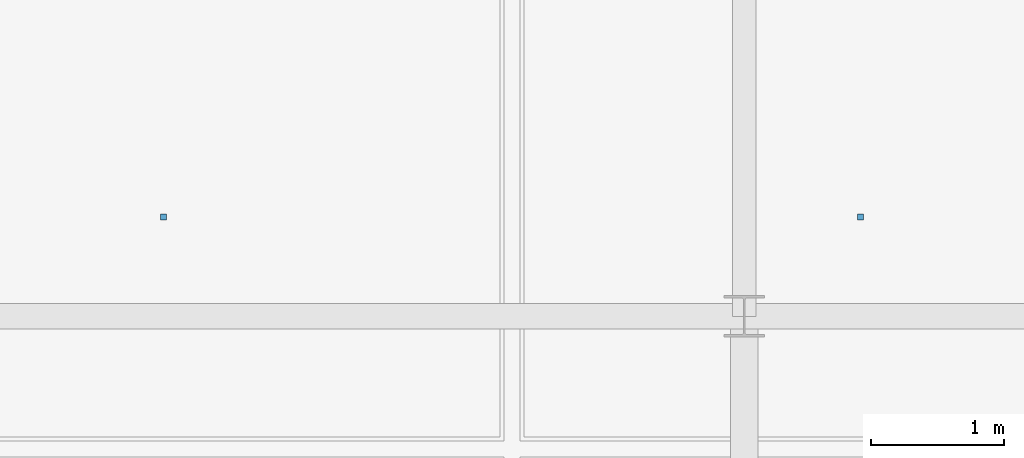
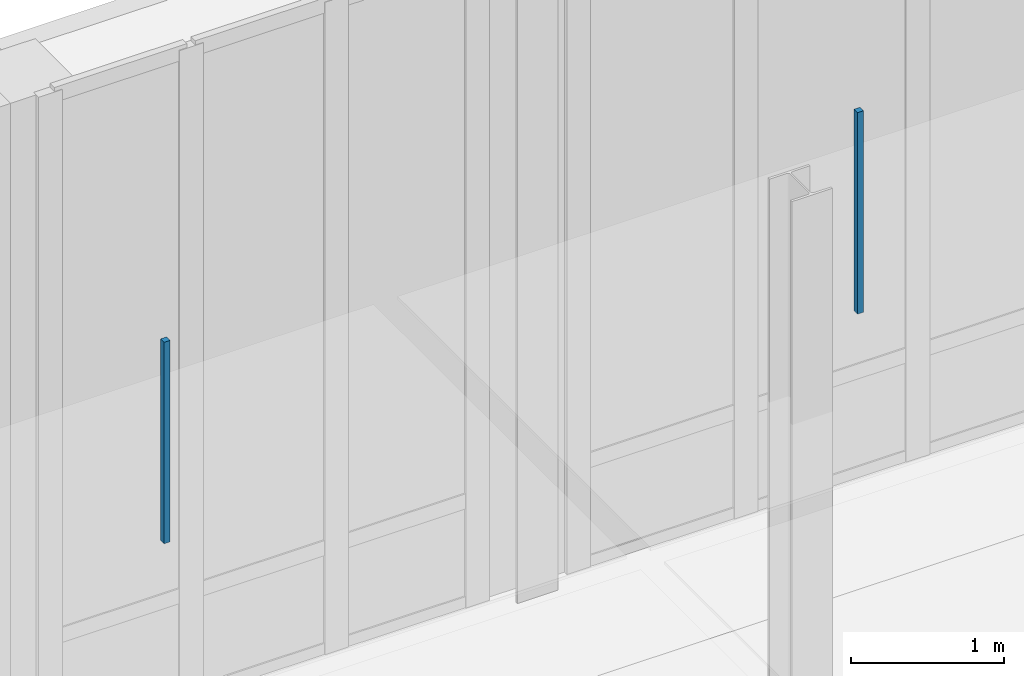
# One storey, part 126 of 180: 2 discrete accessories.
"""IFC4 building model written with IfcOpenShell, lengths in metres."""

from ifc_helpers import new_model, si_unit, direction, frame, origin, origin_2d, place, context, subcontext, project, spatial, rectangle, extrude, material, type_object, element, save


model = new_model("IFC4")

# Units and contexts
model_context = context("Model", 3, precision=1e-05, world=origin(), true_north=direction((0.0, 1.0)))
body_context = subcontext(model_context, "Body", "Model", "MODEL_VIEW")
ifc_project = project(units=[si_unit("LENGTHUNIT", "METRE"), si_unit("AREAUNIT", "SQUARE_METRE"), si_unit("VOLUMEUNIT", "CUBIC_METRE"), si_unit("PLANEANGLEUNIT", "RADIAN"), si_unit("MASSUNIT", "GRAM", prefix="KILO"), si_unit("THERMODYNAMICTEMPERATUREUNIT", "KELVIN"), si_unit("POWERUNIT", "WATT")], contexts=[model_context])

# Site, building, storey
site_placement = place(None, origin())
site = spatial("IfcSite", under=ifc_project, at=site_placement, CompositionType="ELEMENT")
building_placement = place(site_placement, origin())
building = spatial("IfcBuilding", under=site, at=building_placement, Name="Tallowbark Science Centre", CompositionType="ELEMENT")
storey_placement = place(building_placement, origin())
storey = spatial("IfcBuildingStorey", under=building, at=storey_placement, Name="L00", CompositionType="ELEMENT", Elevation=0.0)

# Discrete accessories
ifc_material = material(Name="Galvanised Steel Grade C350L0 (350 MPa)", Category="steel")
discrete_accessory_type = type_object("IfcDiscreteAccessoryType", Name="ACC-CLG-HNG", PredefinedType="BRACKET", material=ifc_material)
for number, where, z_axis, x_axis, name in (
    (1, (58.625, 108.75, 3.609375), (0.0, 0.0, 1.0), (1.0, 0.0, 0.0), "Ceiling Hanger Bracket L00-399"),
    (2, (63.875, 108.75, 3.609375), (0.0, 0.0, 1.0), (1.0, 0.0, 0.0), "Ceiling Hanger Bracket L00-402"),
):
    element("IfcDiscreteAccessory", number, at=place(storey_placement, frame(where, z_axis=z_axis, x_axis=x_axis)), inside=storey, type_object=discrete_accessory_type, Name=name, PredefinedType="BRACKET", context=body_context, shape_type="SweptSolid", body=[
        extrude(rectangle(XDim=0.044921875, YDim=0.044921875, at=origin_2d()), origin(), (0.0, 0.0, 1.0), 1.613525390625),
    ])

save(model, "model.ifc")
